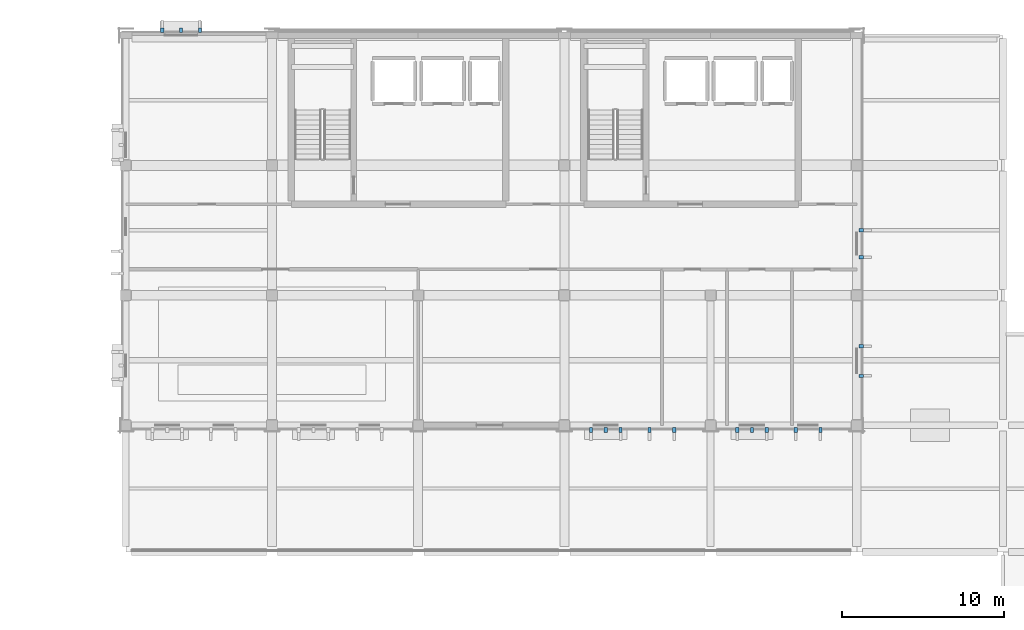
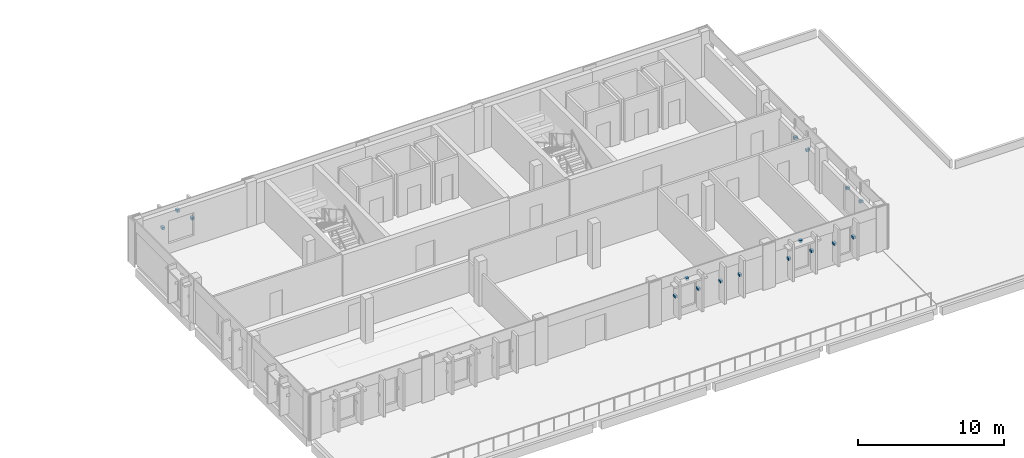
# One storey, part 16 of 23: 17 discrete accessories.
"""IFC4 building model written with IfcOpenShell, lengths in metres."""

from ifc_helpers import new_model, si_unit, direction, frame, origin, origin_2d, place, context, subcontext, project, spatial, rectangle, extrude, material, type_object, element, save


model = new_model("IFC4")

# Units and contexts
model_context = context("Model", 3, precision=1e-05, world=origin(), true_north=direction((0.0, 1.0)))
body_context = subcontext(model_context, "Body", "Model", "MODEL_VIEW")
ifc_project = project(units=[si_unit("LENGTHUNIT", "METRE"), si_unit("AREAUNIT", "SQUARE_METRE"), si_unit("VOLUMEUNIT", "CUBIC_METRE"), si_unit("PLANEANGLEUNIT", "RADIAN"), si_unit("MASSUNIT", "GRAM", prefix="KILO")], contexts=[model_context])

# Site, building, storey
site_placement = place(None, origin())
site = spatial("IfcSite", under=ifc_project, at=site_placement, CompositionType="ELEMENT")
building_placement = place(site_placement, origin())
building = spatial("IfcBuilding", under=site, at=building_placement, Name="Vervanel Yard Central Library", CompositionType="ELEMENT")
storey_placement = place(building_placement, frame((0.0, 0.0, 16.52001953125)))
storey = spatial("IfcBuildingStorey", under=building, at=storey_placement, Name="L04", CompositionType="ELEMENT", Elevation=16.52001953125)

# Discrete accessories
ifc_material = material(Name="Steel ASTM A572 Grade 50", Category="steel")
discrete_accessory_type = type_object("IfcDiscreteAccessoryType", Name="Stainless Solar Fin Fixing Bracket", PredefinedType="BRACKET", material=ifc_material)
for number, where, z_axis, x_axis, name in (
    (1, (38.239990234375, 114.31005859375, 1.85009765625), (0.0, 0.0, 1.0), (1.0, 0.0, 0.0), "L04 Solar Fin Bracket 177"),
    (2, (40.56005859375, 114.31005859375, 1.85009765625), (0.0, 0.0, 1.0), (1.0, 0.0, 0.0), "L04 Solar Fin Bracket 178"),
    (3, (39.39990234375, 114.31005859375, 2.89990234375), (0.0, 0.0, 1.0), (1.0, 0.0, 0.0), "L04 Sunhood Bracket 25"),
    (4, (64.639892578125, 89.7099609375, 1.7998046875), (0.0, 0.0, 1.0), (1.0, 0.0, 0.0), "L04 Solar Fin Bracket 187"),
    (5, (66.4599609375, 89.7099609375, 1.7998046875), (0.0, 0.0, 1.0), (1.0, 0.0, 0.0), "L04 Solar Fin Bracket 188"),
    (6, (65.550048828125, 89.7099609375, 2.9501953125), (0.0, 0.0, 1.0), (1.0, 0.0, 0.0), "L04 Sunhood Bracket 28"),
    (7, (68.239990234375, 89.7099609375, 1.7998046875), (0.0, 0.0, 1.0), (1.0, 0.0, 0.0), "L04 Solar Fin Bracket 189"),
    (8, (69.760009765625, 89.7099609375, 1.7998046875), (0.0, 0.0, 1.0), (1.0, 0.0, 0.0), "L04 Solar Fin Bracket 190"),
    (9, (73.639892578125, 89.7099609375, 1.7998046875), (0.0, 0.0, 1.0), (1.0, 0.0, 0.0), "L04 Solar Fin Bracket 191"),
    (10, (75.4599609375, 89.7099609375, 1.7998046875), (0.0, 0.0, 1.0), (1.0, 0.0, 0.0), "L04 Solar Fin Bracket 192"),
    (11, (74.550048828125, 89.7099609375, 2.9501953125), (0.0, 0.0, 1.0), (1.0, 0.0, 0.0), "L04 Sunhood Bracket 29"),
    (12, (77.239990234375, 89.7099609375, 1.7998046875), (0.0, 0.0, 1.0), (1.0, 0.0, 0.0), "L04 Solar Fin Bracket 193"),
    (13, (78.760009765625, 89.7099609375, 1.7998046875), (0.0, 0.0, 1.0), (1.0, 0.0, 0.0), "L04 Solar Fin Bracket 194"),
    (14, (81.27001953125, 93.0400390625, 1.89990234375), (0.0, 0.0, 1.0), (0.0, 1.0, 0.0), "L04 Solar Fin Bracket 201"),
    (15, (81.27001953125, 94.860107421875, 1.89990234375), (0.0, 0.0, 1.0), (0.0, 1.0, 0.0), "L04 Solar Fin Bracket 202"),
    (16, (81.27001953125, 100.340087890625, 1.77490234375), (0.0, 0.0, 1.0), (0.0, 1.0, 0.0), "L04 Solar Fin Bracket 203"),
    (17, (81.27001953125, 102.010009765625, 1.77490234375), (0.0, 0.0, 1.0), (0.0, 1.0, 0.0), "L04 Solar Fin Bracket 204"),
):
    element("IfcDiscreteAccessory", number, at=place(storey_placement, frame(where, z_axis=z_axis, x_axis=x_axis)), inside=storey, type_object=discrete_accessory_type, Name=name, PredefinedType="BRACKET", context=body_context, shape_type="SweptSolid", body=[
        extrude(rectangle(XDim=0.199951171875, YDim=0.280029296875, at=origin_2d()), origin(), (0.0, 0.0, 1.0), 0.199951171875),
    ])

save(model, "model.ifc")
